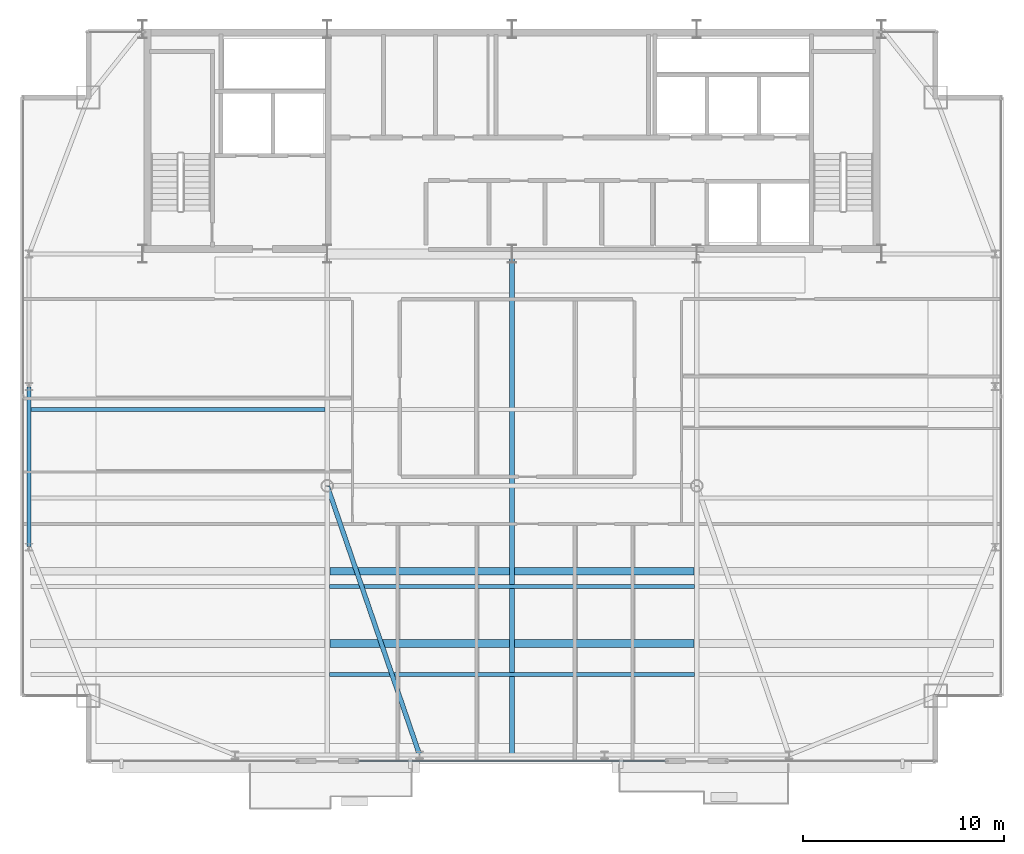
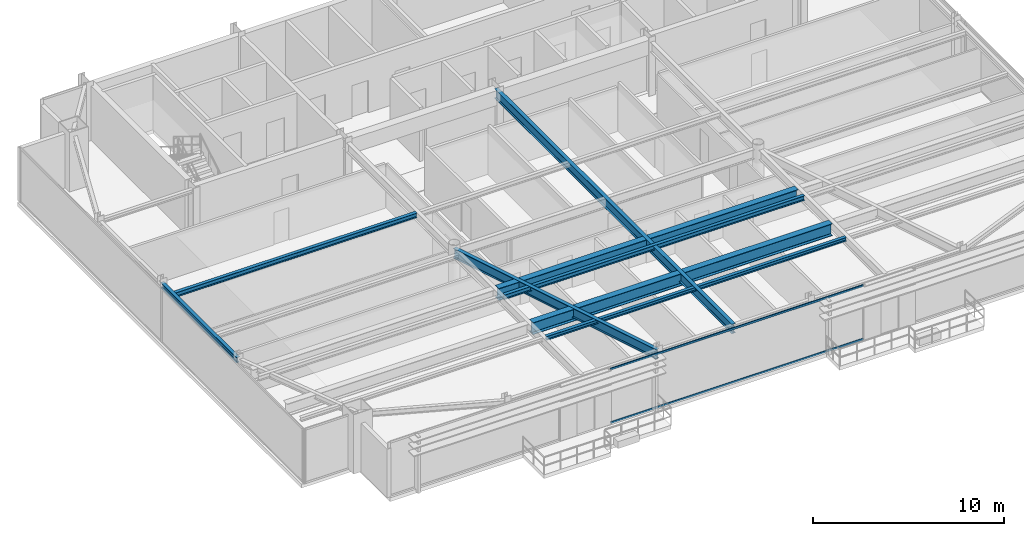
# One storey, part 9 of 28: 8 beams, 2 members, 1 element without a shape of its own.
"""IFC4 building model written with IfcOpenShell, lengths in metres."""

from ifc_helpers import new_model, si_unit, direction, frame, origin, origin_2d, place, context, subcontext, project, spatial, hollow_rectangle, i_section, extrude, source, transform, mapped, material, layer, layer_set, material_profile, profile_set, type_object, type_shapes, element, aggregate, save


model = new_model("IFC4")

# Units and contexts
model_context = context("Model", 3, precision=1e-05, world=origin(), true_north=direction((0.0, 1.0)))
body_context = subcontext(model_context, "Body", "Model", "MODEL_VIEW")
ifc_project = project(units=[si_unit("LENGTHUNIT", "METRE"), si_unit("AREAUNIT", "SQUARE_METRE"), si_unit("VOLUMEUNIT", "CUBIC_METRE"), si_unit("PLANEANGLEUNIT", "RADIAN"), si_unit("MASSUNIT", "GRAM", prefix="KILO")], contexts=[model_context])

# Site, building, storey
site_placement = place(None, origin())
site = spatial("IfcSite", under=ifc_project, at=site_placement, CompositionType="ELEMENT")
building_placement = place(site_placement, origin())
building = spatial("IfcBuilding", under=site, at=building_placement, Name="Varnel Quay Broadcast Tower", CompositionType="ELEMENT")
storey_placement = place(building_placement, frame((0.0, 0.0, 230.199951171875)))
storey = spatial("IfcBuildingStorey", under=building, at=storey_placement, Name="L57", CompositionType="ELEMENT", Elevation=230.199951171875)

# Beams
ifc_material_1 = material(Name="Structural Steel CSA G40.21 350W", Category="steel")
ifc_material_profile_1 = material_profile(ifc_material_1, i_section(OverallWidth=0.205078125, OverallDepth=0.35400390625, WebThickness=0.009521484375, FlangeThickness=0.016845703125, FilletRadius=0.012939453125, at=origin_2d()), Name="W360X79")
ifc_profile_set_1 = profile_set([ifc_material_profile_1], Name="Structural Steel CSA G40.21 350W")
beam_type_1 = type_object("IfcBeamType", Name="Beam_W360X79", PredefinedType="SPANDREL", material=ifc_profile_set_1)
shared_shape_1 = source(origin(), body_context, "Body", "SweptSolid", [
    extrude(i_section(OverallWidth=0.205078125, OverallDepth=0.35400390625, WebThickness=0.009521484375, FlangeThickness=0.016845703125, FilletRadius=0.012939453125, at=origin_2d()), origin(), (0.0, 0.0, 1.0), 7.9599609375),
])
type_shapes(beam_type_1, [shared_shape_1])
beam_1_placement = place(storey_placement, frame((9.949951171875, 21.02001953125, 3.302978515625), z_axis=(0.0, 1.0, 0.0), x_axis=(-1.0, 0.0, 0.0)))
element("IfcBeam", 1, at=beam_1_placement, inside=storey, type_object=beam_type_1, Name="L57 West Spandrel TC-W1-TC-W2", PredefinedType="SPANDREL", context=body_context, shape_type="MappedRepresentation", body=[
    mapped(shared_shape_1, transform((0.0, 0.0, 0.0), x_axis=(1.0, 0.0, 0.0), y_axis=(0.0, 1.0, 0.0), z_axis=(0.0, 0.0, 1.0), scale=1.0)),
])
ifc_material_profile_2 = material_profile(ifc_material_1, i_section(OverallWidth=0.22998046875, OverallDepth=0.616943359375, WebThickness=0.01318359375, FlangeThickness=0.022216796875, FilletRadius=0.01611328125, at=origin_2d()), Name="W610X140")
ifc_profile_set_2 = profile_set([ifc_material_profile_2], Name="Structural Steel CSA G40.21 350W")
beam_type_2 = type_object("IfcBeamType", Name="Girder_W610X140", PredefinedType="BEAM", material=ifc_profile_set_2)
shared_shape_2 = source(origin(), body_context, "Body", "SweptSolid", [
    extrude(i_section(OverallWidth=0.22998046875, OverallDepth=0.616943359375, WebThickness=0.01318359375, FlangeThickness=0.022216796875, FilletRadius=0.01611328125, at=origin_2d()), origin(), (0.0, 0.0, 1.0), 14.12744140625),
])
beam_2_placement = place(storey_placement, frame((29.3935546875, 10.6689453125, 3.171630859375), z_axis=(-0.324696747868, 0.945818175932, 0.0), x_axis=(-0.945818175932, -0.324696747868, 0.0)))
element("IfcBeam", 2, at=beam_2_placement, inside=storey, type_object=beam_type_2, Name="L57 Primary Girder TC-S2-IC-01", PredefinedType="BEAM", context=body_context, shape_type="MappedRepresentation", body=[
    mapped(shared_shape_2, transform((0.0, 0.0, 0.0), x_axis=(1.0, 0.0, 0.0), y_axis=(0.0, 1.0, 0.0), z_axis=(0.0, 0.0, 1.0), scale=1.0)),
])
shared_shape_3 = source(origin(), body_context, "Body", "SweptSolid", [
    extrude(i_section(OverallWidth=0.22998046875, OverallDepth=0.616943359375, WebThickness=0.01318359375, FlangeThickness=0.022216796875, FilletRadius=0.01611328125, at=origin_2d()), origin(), (0.0, 0.0, 1.0), 24.91015625),
])
type_shapes(beam_type_2, [shared_shape_2, shared_shape_3])
beam_3_placement = place(storey_placement, frame((34.0, 10.669921875, 3.171630859375), z_axis=(0.0, 1.0, 0.0), x_axis=(-1.0, 0.0, 0.0)))
element("IfcBeam", 3, at=beam_3_placement, inside=storey, type_object=beam_type_2, Name="L57 Central Bay Girder", PredefinedType="BEAM", context=body_context, shape_type="MappedRepresentation", body=[
    mapped(shared_shape_3, transform((0.0, 0.0, 0.0), x_axis=(1.0, 0.0, 0.0), y_axis=(0.0, 1.0, 0.0), z_axis=(0.0, 0.0, 1.0), scale=1.0)),
])
ifc_material_profile_3 = material_profile(ifc_material_1, i_section(OverallWidth=0.201904296875, OverallDepth=0.2470703125, WebThickness=0.00732421875, FlangeThickness=0.010986328125, FilletRadius=0.010986328125, at=origin_2d()), Name="W250X49")
ifc_profile_set_3 = profile_set([ifc_material_profile_3], Name="Structural Steel CSA G40.21 350W")
beam_type_3 = type_object("IfcBeamType", Name="Beam_W250X49", PredefinedType="JOIST", material=ifc_profile_set_3)
shared_shape_4 = source(origin(), body_context, "Body", "SweptSolid", [
    extrude(i_section(OverallWidth=0.201904296875, OverallDepth=0.2470703125, WebThickness=0.00732421875, FlangeThickness=0.010986328125, FilletRadius=0.010986328125, at=origin_2d()), origin(), (0.0, 0.0, 1.0), 18.18017578125),
])
type_shapes(beam_type_3, [shared_shape_4])
beam_4_placement = place(storey_placement, frame((24.909912109375, 14.64990234375, 3.3564453125), z_axis=(1.0, 0.0, 0.0), x_axis=(0.0, 1.0, 0.0)))
element("IfcBeam", 4, at=beam_4_placement, inside=storey, type_object=beam_type_3, Name="L57 Central Floor Joist 1", PredefinedType="JOIST", context=body_context, shape_type="MappedRepresentation", body=[
    mapped(shared_shape_4, transform((0.0, 0.0, 0.0), x_axis=(1.0, 0.0, 0.0), y_axis=(0.0, 1.0, 0.0), z_axis=(0.0, 0.0, 1.0), scale=1.0)),
])
ifc_material_profile_4 = material_profile(ifc_material_1, i_section(OverallWidth=0.202880859375, OverallDepth=0.302978515625, WebThickness=0.007568359375, FlangeThickness=0.01318359375, FilletRadius=0.011962890625, at=origin_2d()), Name="W310X60")
ifc_profile_set_4 = profile_set([ifc_material_profile_4], Name="Structural Steel CSA G40.21 350W")
beam_type_4 = type_object("IfcBeamType", Name="Beam_W310X60", PredefinedType="JOIST", material=ifc_profile_set_4)
shared_shape_5 = source(origin(), body_context, "Body", "SweptSolid", [
    extrude(i_section(OverallWidth=0.202880859375, OverallDepth=0.302978515625, WebThickness=0.007568359375, FlangeThickness=0.01318359375, FilletRadius=0.011962890625, at=origin_2d()), origin(), (0.0, 0.0, 1.0), 14.642333984375),
])
beam_5_placement = place(storey_placement, frame((10.047607421875, 27.85009765625, 3.32861328125), z_axis=(1.0, 0.0, 0.0), x_axis=(0.0, 1.0, 0.0)))
element("IfcBeam", 5, at=beam_5_placement, inside=storey, type_object=beam_type_4, Name="L57 West Floor Joist 4", PredefinedType="JOIST", context=body_context, shape_type="MappedRepresentation", body=[
    mapped(shared_shape_5, transform((0.0, 0.0, 0.0), x_axis=(1.0, 0.0, 0.0), y_axis=(0.0, 1.0, 0.0), z_axis=(0.0, 0.0, 1.0), scale=1.0)),
])
shared_shape_6 = source(origin(), body_context, "Body", "SweptSolid", [
    extrude(i_section(OverallWidth=0.202880859375, OverallDepth=0.302978515625, WebThickness=0.007568359375, FlangeThickness=0.01318359375, FilletRadius=0.011962890625, at=origin_2d()), origin(), (0.0, 0.0, 1.0), 18.18017578125),
])
type_shapes(beam_type_4, [shared_shape_5, shared_shape_6])
beam_6_placement = place(storey_placement, frame((24.909912109375, 19.050048828125, 3.32861328125), z_axis=(1.0, 0.0, 0.0), x_axis=(0.0, 1.0, 0.0)))
element("IfcBeam", 6, at=beam_6_placement, inside=storey, type_object=beam_type_4, Name="L57 Central Floor Joist 2", PredefinedType="JOIST", context=body_context, shape_type="MappedRepresentation", body=[
    mapped(shared_shape_6, transform((0.0, 0.0, 0.0), x_axis=(1.0, 0.0, 0.0), y_axis=(0.0, 1.0, 0.0), z_axis=(0.0, 0.0, 1.0), scale=1.0)),
])
ifc_material_profile_5 = material_profile(ifc_material_1, i_section(OverallWidth=0.381103515625, OverallDepth=0.77294921875, WebThickness=0.0166015625, FlangeThickness=0.027587890625, FilletRadius=0.01806640625, at=origin_2d()), Name="W760X257")
ifc_profile_set_5 = profile_set([ifc_material_profile_5], Name="Structural Steel CSA G40.21 350W")
beam_type_5 = type_object("IfcBeamType", Name="Girder_W760X257", PredefinedType="BEAM", material=ifc_profile_set_5)
shared_shape_7 = source(origin(), body_context, "Body", "SweptSolid", [
    extrude(i_section(OverallWidth=0.381103515625, OverallDepth=0.77294921875, WebThickness=0.0166015625, FlangeThickness=0.027587890625, FilletRadius=0.01806640625, at=origin_2d()), origin(), (0.0, 0.0, 1.0), 18.14013671875),
])
type_shapes(beam_type_5, [shared_shape_7])
for number, where, z_axis, x_axis, name in (
    (7, (24.929931640625, 16.199951171875, 3.093505859375), (1.0, 0.0, 0.0), (0.0, 1.0, 0.0), "L57 Turbine Cradle Support Girder S-C"),
    (8, (24.929931640625, 19.800048828125, 3.093505859375), (1.0, 0.0, 0.0), (0.0, 1.0, 0.0), "L57 Turbine Cradle Support Girder N-C"),
):
    element("IfcBeam", number, at=place(storey_placement, frame(where, z_axis=z_axis, x_axis=x_axis)), inside=storey, type_object=beam_type_5, Name=name, PredefinedType="BEAM", context=body_context, shape_type="MappedRepresentation", body=[
        mapped(shared_shape_7, transform((0.0, 0.0, 0.0), x_axis=(1.0, 0.0, 0.0), y_axis=(0.0, 1.0, 0.0), z_axis=(0.0, 0.0, 1.0), scale=1.0)),
    ])

# Curtain wall, members
ifc_material_2 = material(Name="Anodised Bronze Aluminium 6063-T6", Category="aluminium")
ifc_layer = layer(ifc_material_2, 0.18994140625, Name="Anodised Bronze Aluminium 6063-T6")
ifc_layer_set = layer_set([ifc_layer], Name="Anodised Bronze Aluminium 6063-T6")
curtain_wall_type = type_object("IfcCurtainWallType", Name="CW_UpperTower", PredefinedType="NOTDEFINED", material=ifc_layer_set)
curtain_wall_placement = place(storey_placement, origin())
curtain_wall = element("IfcCurtainWall", 9, at=curtain_wall_placement, inside=storey, type_object=curtain_wall_type, Name="L57 South Unitised Curtain Wall 2", PredefinedType="NOTDEFINED")
ifc_material_profile_6 = material_profile(ifc_material_2, hollow_rectangle(XDim=0.06005859375, YDim=0.125, WallThickness=0.0029296875, at=origin_2d()), Name="ALU60X125X3")
ifc_profile_set_6 = profile_set([ifc_material_profile_6], Name="Anodised Bronze Aluminium 6063-T6")
member_type = type_object("IfcMemberType", Name="Tran_CWS-03", PredefinedType="USERDEFINED", material=ifc_profile_set_6)
shared_shape_8 = source(origin(), body_context, "Body", "SweptSolid", [
    extrude(hollow_rectangle(XDim=0.06005859375, YDim=0.125, WallThickness=0.0029296875, at=origin_2d()), origin(), (0.0, 0.0, 1.0), 15.31005859375),
])
type_shapes(member_type, [shared_shape_8])
member_1_placement = place(storey_placement, frame((26.344970703125, 10.35009765625, 0.030029296875), z_axis=(1.0, 0.0, 0.0), x_axis=(0.0, 1.0, 0.0)))
member_1 = element("IfcMember", 10, at=member_1_placement, type_object=member_type, Name="CWS-03 transom 1.1", ObjectType="TRANSOM", PredefinedType="USERDEFINED", context=body_context, shape_type="MappedRepresentation", body=[
    mapped(shared_shape_8, transform((0.0, 0.0, 0.0), x_axis=(1.0, 0.0, 0.0), y_axis=(0.0, 1.0, 0.0), z_axis=(0.0, 0.0, 1.0), scale=1.0)),
])
member_2_placement = place(storey_placement, frame((26.344970703125, 10.35009765625, 3.449951171875), z_axis=(1.0, 0.0, 0.0), x_axis=(0.0, 1.0, 0.0)))
member_2 = element("IfcMember", 11, at=member_2_placement, type_object=member_type, Name="CWS-03 transom 1.2", ObjectType="TRANSOM", PredefinedType="USERDEFINED", context=body_context, shape_type="MappedRepresentation", body=[
    mapped(shared_shape_8, transform((0.0, 0.0, 0.0), x_axis=(1.0, 0.0, 0.0), y_axis=(0.0, 1.0, 0.0), z_axis=(0.0, 0.0, 1.0), scale=1.0)),
])
aggregate(curtain_wall, [member_1, member_2])

save(model, "model.ifc")
